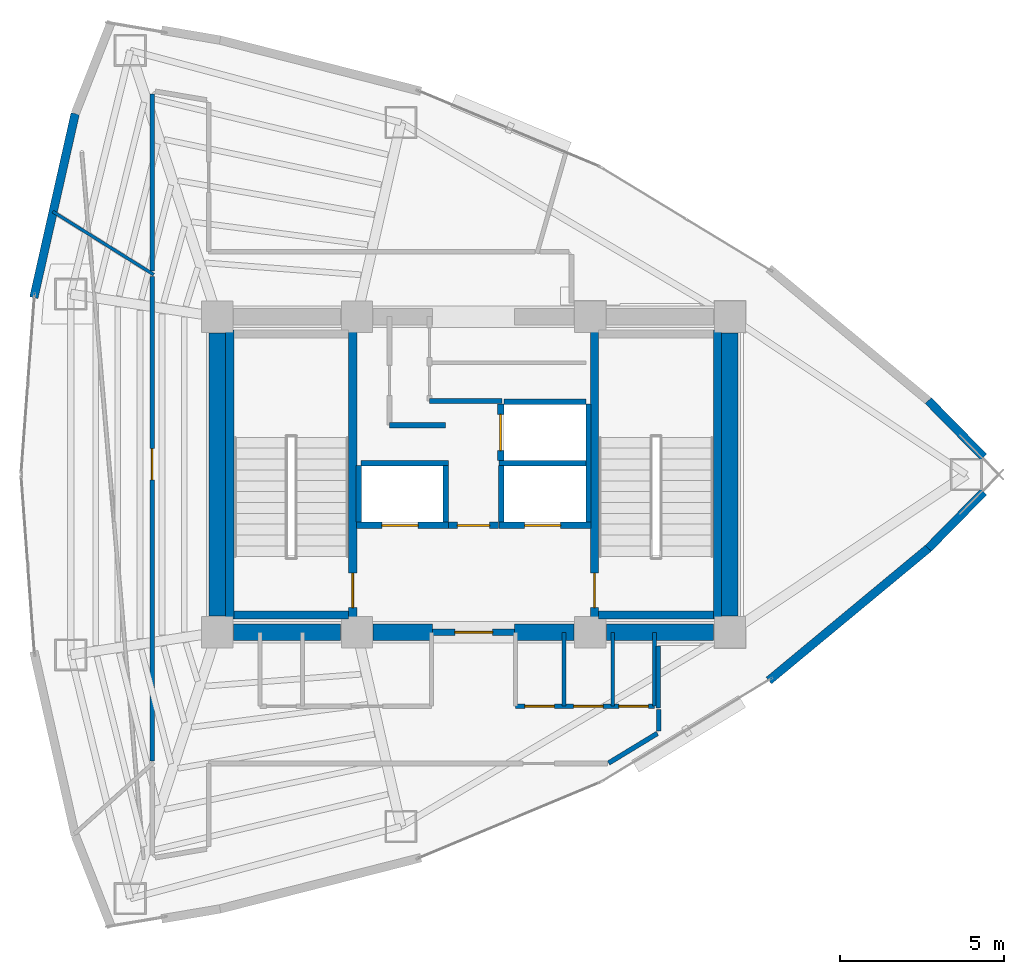
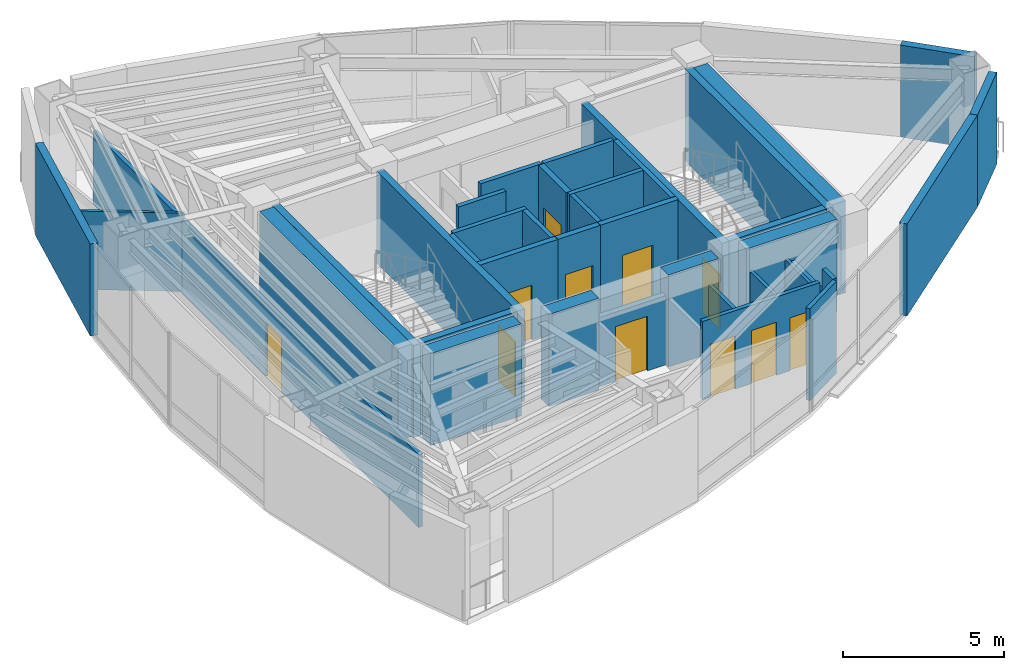
# One storey, part 12 of 16: 40 walls, 11 doors, 11 openings.
"""IFC4 building model written with IfcOpenShell, lengths in metres."""

from ifc_helpers import new_model, si_unit, direction, frame, frame_2d, origin, place, context, subcontext, project, spatial, rectangle, extrude, material, layer, layer_set, type_object, element, fill, save


model = new_model("IFC4")

# Units and contexts
model_context = context("Model", 3, precision=1e-05, world=origin(), true_north=direction((0.0, 1.0)))
body_context = subcontext(model_context, "Body", "Model", "MODEL_VIEW")
ifc_project = project(units=[si_unit("LENGTHUNIT", "METRE"), si_unit("AREAUNIT", "SQUARE_METRE"), si_unit("VOLUMEUNIT", "CUBIC_METRE"), si_unit("PLANEANGLEUNIT", "RADIAN"), si_unit("MASSUNIT", "GRAM", prefix="KILO")], contexts=[model_context])

# Site, building, storey
site_placement = place(None, origin())
site = spatial("IfcSite", under=ifc_project, at=site_placement, CompositionType="ELEMENT")
building_placement = place(site_placement, origin())
building = spatial("IfcBuilding", under=site, at=building_placement, Name="Menara Vayukalpa", CompositionType="ELEMENT")
storey_placement = place(building_placement, frame((0.0, 0.0, 219.5400390625)))
storey = spatial("IfcBuildingStorey", under=building, at=storey_placement, Name="L55", CompositionType="ELEMENT", Elevation=219.5400390625)

# Walls
ifc_material_1 = material(Name="Concrete C60/75", Category="concrete")
ifc_layer_1 = layer(ifc_material_1, 0.5)
ifc_layer_set_1 = layer_set([ifc_layer_1], Name="Concrete C60/75")
wall_type_1 = type_object("IfcWallType", Name="WAL-CW500", PredefinedType="SHEAR", material=ifc_layer_set_1)
wall_1_placement = place(storey_placement, frame((18.294921875, 17.199951171875, 0.0), z_axis=(0.0, 0.0, 1.0), x_axis=(1.0, 0.0, 0.0)))
element("IfcWall", 1, at=wall_1_placement, inside=storey, type_object=wall_type_1, Name="L55 Buttressed Core Shear Wall CWS1", PredefinedType="SHEAR", context=body_context, shape_type="SweptSolid", body=[
    extrude(rectangle(XDim=3.260009765625, YDim=0.5, at=frame_2d((1.6298828125, 0.0))), origin(), (0.0, 0.0, 1.0), 3.5),
])
wall_2_placement = place(storey_placement, frame((22.544921875, 17.199951171875, 0.0), z_axis=(0.0, 0.0, 1.0), x_axis=(1.0, 0.0, 0.0)))
element("IfcWall", 2, at=wall_2_placement, inside=storey, type_object=wall_type_1, Name="L55 Buttressed Core Shear Wall CWS2", PredefinedType="SHEAR", context=body_context, shape_type="SweptSolid", body=[
    extrude(rectangle(XDim=1.80517578125, YDim=0.5, at=frame_2d((0.902587890625, 0.0))), origin(), (0.0, 0.0, 1.0), 3.5),
])
wall_3_placement = place(storey_placement, frame((26.85009765625, 17.199951171875, 0.0), z_axis=(0.0, 0.0, 1.0), x_axis=(1.0, 0.0, 0.0)))
element("IfcWall", 3, at=wall_3_placement, inside=storey, type_object=wall_type_1, Name="L55 Buttressed Core Shear Wall CWS3", PredefinedType="SHEAR", context=body_context, shape_type="SweptSolid", body=[
    extrude(rectangle(XDim=1.804931640625, YDim=0.5, at=frame_2d((0.90234375, 0.0))), origin(), (0.0, 0.0, 1.0), 3.5),
])
wall_4_placement = place(storey_placement, frame((29.64501953125, 17.199951171875, 0.0), z_axis=(0.0, 0.0, 1.0), x_axis=(1.0, 0.0, 0.0)))
element("IfcWall", 4, at=wall_4_placement, inside=storey, type_object=wall_type_1, Name="L55 Buttressed Core Shear Wall CWS4", PredefinedType="SHEAR", context=body_context, shape_type="SweptSolid", body=[
    extrude(rectangle(XDim=3.260009765625, YDim=0.5, at=frame_2d((1.6298828125, 0.0))), origin(), (0.0, 0.0, 1.0), 3.5),
])
for number, where, z_axis, x_axis, name in (
    (5, (17.800048828125, 17.695068359375, 0.0), (0.0, 0.0, 1.0), (0.0, 1.0, 0.0), "L55 Buttressed Core Shear Wall CWW1"),
    (6, (33.39990234375, 17.695068359375, 0.0), (0.0, 0.0, 1.0), (0.0, 1.0, 0.0), "L55 Buttressed Core Shear Wall CWE1"),
):
    element("IfcWall", number, at=place(storey_placement, frame(where, z_axis=z_axis, x_axis=x_axis)), inside=storey, type_object=wall_type_1, Name=name, PredefinedType="SHEAR", context=body_context, shape_type="SweptSolid", body=[
        extrude(rectangle(XDim=8.60986328125, YDim=0.5, at=frame_2d((4.304931640625, 0.0))), origin(), (0.0, 0.0, 1.0), 3.5),
    ])
ifc_material_2 = material(Name="Insulated Precast Concrete C40/50", Category="concrete")
ifc_layer_2 = layer(ifc_material_2, 0.260009765625)
ifc_layer_set_2 = layer_set([ifc_layer_2], Name="Insulated Precast Concrete C40/50")
wall_type_2 = type_object("IfcWallType", Name="WAL-EXT260", PredefinedType="PARTITIONING", material=ifc_layer_set_2)
for number, where, z_axis, x_axis, name in (
    (7, (41.11669921875, 21.466552734375, 0.0), (0.0, 0.0, 1.0), (-0.700567481584, -0.7135861572, 0.0), "L55 Perimeter Terracotta Pier Wall 01"),
    (8, (39.43505859375, 24.246337890625, 0.0), (0.0, 0.0, 1.0), (0.700567481584, -0.7135861572, 0.0), "L55 Perimeter Terracotta Pier Wall 02"),
):
    element("IfcWall", number, at=place(storey_placement, frame(where, z_axis=z_axis, x_axis=x_axis)), inside=storey, type_object=wall_type_2, Name=name, PredefinedType="PARTITIONING", context=body_context, shape_type="SweptSolid", body=[
        extrude(rectangle(XDim=2.400390625, YDim=0.260009765625, at=frame_2d((1.2001953125, 0.0))), origin(), (0.0, 0.0, 1.0), 3.5),
    ])
wall_5_placement = place(storey_placement, frame((12.219970703125, 27.3818359375, 0.0), z_axis=(0.0, 0.0, 1.0), x_axis=(0.219475737697, 0.975617958303, 0.0)))
element("IfcWall", 9, at=wall_5_placement, inside=storey, type_object=wall_type_2, Name="L55 Perimeter Terracotta Pier Wall 09", PredefinedType="PARTITIONING", context=body_context, shape_type="SweptSolid", body=[
    extrude(rectangle(XDim=5.736572265625, YDim=0.260009765625, at=frame_2d((2.8681640625, 0.0))), origin(), (0.0, 0.0, 1.0), 3.5),
])
wall_6_placement = place(storey_placement, frame((39.44384765625, 19.76171875, 0.0), z_axis=(0.0, 0.0, 1.0), x_axis=(-0.769765373155, -0.638326930571, 0.0)))
element("IfcWall", 10, at=wall_6_placement, inside=storey, type_object=wall_type_2, Name="L55 Perimeter Terracotta Pier Wall 18", PredefinedType="PARTITIONING", context=body_context, shape_type="SweptSolid", body=[
    extrude(rectangle(XDim=6.3154296875, YDim=0.260009765625, at=frame_2d((3.15771484375, 0.0))), origin(), (0.0, 0.0, 1.0), 3.5),
])
ifc_material_3 = material(Name="Lightweight Concrete Blockwork C16/20", Category="masonry")
ifc_layer_3 = layer(ifc_material_3, 0.159912109375)
ifc_layer_set_3 = layer_set([ifc_layer_3], Name="Lightweight Concrete Blockwork C16/20")
wall_type_3 = type_object("IfcWallType", Name="WAL-FR150", PredefinedType="PARTITIONING", material=ifc_layer_set_3)
for number, where, z_axis, x_axis, name in (
    (11, (22.10498046875, 20.56005859375, 0.0), (0.0, 0.0, 1.0), (0.0, 1.0, 0.0), "L55 Interior Partition IW-L55-SHW-WW"),
    (12, (24.7548828125, 20.56005859375, 0.0), (0.0, 0.0, 1.0), (0.0, 1.0, 0.0), "L55 Interior Partition IW-L55-SHW-W1E"),
):
    element("IfcWall", number, at=place(storey_placement, frame(where, z_axis=z_axis, x_axis=x_axis)), inside=storey, type_object=wall_type_3, Name=name, PredefinedType="PARTITIONING", context=body_context, shape_type="SweptSolid", body=[
        extrude(rectangle(XDim=1.7099609375, YDim=0.159912109375, at=frame_2d((0.85498046875, 0.0))), origin(), (0.0, 0.0, 1.0), 3.5),
    ])
wall_7_placement = place(storey_placement, frame((22.179931640625, 22.344970703125, 0.0), z_axis=(0.0, 0.0, 1.0), x_axis=(1.0, 0.0, 0.0)))
element("IfcWall", 13, at=wall_7_placement, inside=storey, type_object=wall_type_3, Name="L55 Interior Partition IW-L55-SHM-W12", PredefinedType="PARTITIONING", context=body_context, shape_type="SweptSolid", body=[
    extrude(rectangle(XDim=2.650146484375, YDim=0.159912109375, at=frame_2d((1.3251953125, 0.0))), origin(), (0.0, 0.0, 1.0), 3.5),
])
wall_8_placement = place(storey_placement, frame((29.094970703125, 20.56005859375, 0.0), z_axis=(0.0, 0.0, 1.0), x_axis=(0.0, 1.0, 0.0)))
element("IfcWall", 14, at=wall_8_placement, inside=storey, type_object=wall_type_3, Name="L55 Interior Partition IW-L55-SHW-EE", PredefinedType="PARTITIONING", context=body_context, shape_type="SweptSolid", body=[
    extrude(rectangle(XDim=3.579833984375, YDim=0.159912109375, at=frame_2d((1.7900390625, 0.0))), origin(), (0.0, 0.0, 1.0), 3.5),
])
wall_9_placement = place(storey_placement, frame((26.445068359375, 20.56005859375, 0.0), z_axis=(0.0, 0.0, 1.0), x_axis=(0.0, 1.0, 0.0)))
element("IfcWall", 15, at=wall_9_placement, inside=storey, type_object=wall_type_3, Name="L55 Interior Partition IW-L55-SHW-E1W", PredefinedType="PARTITIONING", context=body_context, shape_type="SweptSolid", body=[
    extrude(rectangle(XDim=1.7099609375, YDim=0.159912109375, at=frame_2d((0.85498046875, 0.0))), origin(), (0.0, 0.0, 1.0), 3.5),
])
wall_10_placement = place(storey_placement, frame((26.3701171875, 22.344970703125, 0.0), z_axis=(0.0, 0.0, 1.0), x_axis=(1.0, 0.0, 0.0)))
element("IfcWall", 16, at=wall_10_placement, inside=storey, type_object=wall_type_3, Name="L55 Interior Partition IW-L55-SHM-E13", PredefinedType="PARTITIONING", context=body_context, shape_type="SweptSolid", body=[
    extrude(rectangle(XDim=2.64990234375, YDim=0.159912109375, at=frame_2d((1.324951171875, 0.0))), origin(), (0.0, 0.0, 1.0), 3.5),
])
wall_11_placement = place(storey_placement, frame((26.530029296875, 24.215087890625, 0.0), z_axis=(0.0, 0.0, 1.0), x_axis=(1.0, 0.0, 0.0)))
element("IfcWall", 17, at=wall_11_placement, inside=storey, type_object=wall_type_3, Name="L55 Interior Partition IW-L55-SHM-E32", PredefinedType="PARTITIONING", context=body_context, shape_type="SweptSolid", body=[
    extrude(rectangle(XDim=2.489990234375, YDim=0.159912109375, at=frame_2d((1.2451171875, 0.0))), origin(), (0.0, 0.0, 1.0), 3.5),
])
wall_12_placement = place(storey_placement, frame((23.0400390625, 23.5, 0.0), z_axis=(0.0, 0.0, 1.0), x_axis=(1.0, 0.0, 0.0)))
element("IfcWall", 18, at=wall_12_placement, inside=storey, type_object=wall_type_3, Name="L55 Interior Partition IW-L55-LV7WA", PredefinedType="PARTITIONING", context=body_context, shape_type="SweptSolid", body=[
    extrude(rectangle(XDim=1.699951171875, YDim=0.159912109375, at=frame_2d((0.85009765625, 0.0))), origin(), (0.0, 0.0, 1.0), 3.5),
])
wall_13_placement = place(storey_placement, frame((24.260009765625, 24.239990234375, 0.0), z_axis=(0.0, 0.0, 1.0), x_axis=(1.0, 0.0, 0.0)))
element("IfcWall", 19, at=wall_13_placement, inside=storey, type_object=wall_type_3, Name="L55 Interior Partition IW-L55-LV7EA", PredefinedType="PARTITIONING", context=body_context, shape_type="SweptSolid", body=[
    extrude(rectangle(XDim=2.199951171875, YDim=0.159912109375, at=frame_2d((1.10009765625, 0.0))), origin(), (0.0, 0.0, 1.0), 3.5),
])

# Wall, opening, door
ifc_material_4 = material(Name="Lightweight Concrete Blockwork C16/20", Category="masonry")
ifc_layer_4 = layer(ifc_material_4, 0.199951171875)
ifc_layer_set_4 = layer_set([ifc_layer_4], Name="Lightweight Concrete Blockwork C16/20")
wall_type_4 = type_object("IfcWallType", Name="WAL-FR200", PredefinedType="PARTITIONING", material=ifc_layer_set_4)
wall_14_placement = place(storey_placement, frame((24.35009765625, 17.199951171875, 0.0), z_axis=(0.0, 0.0, 1.0), x_axis=(1.0, 0.0, 0.0)))
wall_14 = element("IfcWall", 20, at=wall_14_placement, inside=storey, type_object=wall_type_4, Name="L55 Interior Partition IW-L55-FFLS", PredefinedType="PARTITIONING", context=body_context, shape_type="SweptSolid", body=[
    extrude(rectangle(XDim=2.5, YDim=0.199951171875, at=frame_2d((1.25, 0.0))), origin(), (0.0, 0.0, 1.0), 2.6298828125),
])
opening_1_placement = place(wall_14_placement, frame((0.679931640625, 0.0, 0.0)))
opening_1 = element("IfcOpeningElement", 21, at=opening_1_placement, cuts=wall_14, Name="Opening ID2", PredefinedType="OPENING", context=body_context, shape_type="SweptSolid", body=[
    extrude(rectangle(XDim=1.14990234375, YDim=2.080078125, at=frame_2d((0.574951171875, 1.0400390625))), frame((0.0, 0.10986328125, 0.0), z_axis=(0.0, -1.0, 0.0), x_axis=(1.0, 0.0, 0.0)), (0.0, 0.0, 1.0), 0.219970703125),
])
ifc_material_5 = material(Name="Fire-Rated Powder-Coated Steel Door", Category="steel")
door_type_1 = type_object("IfcDoorType", Name="DR-FD60W", OperationType="NOTDEFINED", PredefinedType="DOOR", material=ifc_material_5)
door_1_placement = place(opening_1_placement, origin())
door_1 = element("IfcDoor", 22, at=door_1_placement, inside=storey, type_object=door_type_1, Name="L55 Interior Door DR-L55-FFLS", OperationType="SINGLE_SWING_RIGHT", OverallHeight=2.080078125, OverallWidth=1.14990234375, PredefinedType="DOOR", context=body_context, shape_type="SweptSolid", body=[
    extrude(rectangle(XDim=1.14990234375, YDim=2.080078125, at=frame_2d((0.574951171875, 1.0400390625))), frame((0.0, 0.02490234375, 0.0), z_axis=(0.0, -1.0, 0.0), x_axis=(1.0, 0.0, 0.0)), (0.0, 0.0, 1.0), 0.050048828125),
])
fill(opening_1, door_1)

wall_15_placement = place(storey_placement, frame((24.840087890625, 20.449951171875, 0.0), z_axis=(0.0, 0.0, 1.0), x_axis=(1.0, 0.0, 0.0)))
wall_15 = element("IfcWall", 23, at=wall_15_placement, inside=storey, type_object=wall_type_4, Name="L55 Interior Partition IW-L55-FFLN", PredefinedType="PARTITIONING", context=body_context, shape_type="SweptSolid", body=[
    extrude(rectangle(XDim=1.52001953125, YDim=0.199951171875, at=frame_2d((0.760009765625, 0.0))), origin(), (0.0, 0.0, 1.0), 3.5),
])
opening_2_placement = place(wall_15_placement, frame((0.27001953125, 0.0, 0.0)))
opening_2 = element("IfcOpeningElement", 24, at=opening_2_placement, cuts=wall_15, Name="Opening ID3", PredefinedType="OPENING", context=body_context, shape_type="SweptSolid", body=[
    extrude(rectangle(XDim=0.97998046875, YDim=2.06005859375, at=frame_2d((0.489990234375, 1.030029296875))), frame((0.0, 0.10986328125, 0.0), z_axis=(0.0, -1.0, 0.0), x_axis=(1.0, 0.0, 0.0)), (0.0, 0.0, 1.0), 0.219970703125),
])
ifc_material_6 = material(Name="Fire-Rated Powder-Coated Steel Door", Category="steel")
door_type_2 = type_object("IfcDoorType", Name="DR-FD60", OperationType="NOTDEFINED", PredefinedType="DOOR", material=ifc_material_6)
door_2_placement = place(opening_2_placement, origin())
door_2 = element("IfcDoor", 25, at=door_2_placement, inside=storey, type_object=door_type_2, Name="L55 Interior Door DR-L55-FFLN", OperationType="SINGLE_SWING_LEFT", OverallHeight=2.06005859375, OverallWidth=0.97998046875, PredefinedType="DOOR", context=body_context, shape_type="SweptSolid", body=[
    extrude(rectangle(XDim=0.97998046875, YDim=2.06005859375, at=frame_2d((0.489990234375, 1.030029296875))), frame((0.0, 0.02490234375, 0.0), z_axis=(0.0, -1.0, 0.0), x_axis=(1.0, 0.0, 0.0)), (0.0, 0.0, 1.0), 0.050048828125),
])
fill(opening_2, door_2)

wall_16_placement = place(storey_placement, frame((22.030029296875, 20.449951171875, 0.0), z_axis=(0.0, 0.0, 1.0), x_axis=(1.0, 0.0, 0.0)))
wall_16 = element("IfcWall", 26, at=wall_16_placement, inside=storey, type_object=wall_type_4, Name="L55 Interior Partition IW-L55-SH-W1", PredefinedType="PARTITIONING", context=body_context, shape_type="SweptSolid", body=[
    extrude(rectangle(XDim=2.800048828125, YDim=0.199951171875, at=frame_2d((1.39990234375, 0.0))), origin(), (0.0, 0.0, 1.0), 3.5),
])
opening_3_placement = place(wall_16_placement, frame((0.780029296875, 0.0, 0.0)))
opening_3 = element("IfcOpeningElement", 27, at=opening_3_placement, cuts=wall_16, Name="Opening LD1", PredefinedType="OPENING", context=body_context, shape_type="SweptSolid", body=[
    extrude(rectangle(XDim=1.10009765625, YDim=2.080078125, at=frame_2d((0.550048828125, 1.0400390625))), frame((0.0, 0.10986328125, 0.0), z_axis=(0.0, -1.0, 0.0), x_axis=(1.0, 0.0, 0.0)), (0.0, 0.0, 1.0), 0.219970703125),
])
ifc_material_7 = material(Name="Brushed Stainless Steel 316 Lift Door", Category="steel")
door_type_3 = type_object("IfcDoorType", Name="DR-LD110", OperationType="NOTDEFINED", PredefinedType="DOOR", material=ifc_material_7)
door_3_placement = place(opening_3_placement, origin())
door_3 = element("IfcDoor", 28, at=door_3_placement, inside=storey, type_object=door_type_3, Name="L55 Interior Door DR-L55-LD-W1", OperationType="DOUBLE_DOOR_SLIDING", OverallHeight=2.080078125, OverallWidth=1.10009765625, PredefinedType="DOOR", context=body_context, shape_type="SweptSolid", body=[
    extrude(rectangle(XDim=1.10009765625, YDim=2.080078125, at=frame_2d((0.550048828125, 1.0400390625))), frame((0.0, 0.02490234375, 0.0), z_axis=(0.0, -1.0, 0.0), x_axis=(1.0, 0.0, 0.0)), (0.0, 0.0, 1.0), 0.050048828125),
])
fill(opening_3, door_3)

wall_17_placement = place(storey_placement, frame((26.3701171875, 20.449951171875, 0.0), z_axis=(0.0, 0.0, 1.0), x_axis=(1.0, 0.0, 0.0)))
wall_17 = element("IfcWall", 29, at=wall_17_placement, inside=storey, type_object=wall_type_4, Name="L55 Interior Partition IW-L55-SH-E1", PredefinedType="PARTITIONING", context=body_context, shape_type="SweptSolid", body=[
    extrude(rectangle(XDim=2.7998046875, YDim=0.199951171875, at=frame_2d((1.39990234375, 0.0))), origin(), (0.0, 0.0, 1.0), 3.5),
])
opening_4_placement = place(wall_17_placement, frame((0.780029296875, 0.0, 0.0)))
opening_4 = element("IfcOpeningElement", 30, at=opening_4_placement, cuts=wall_17, Name="Opening LD1", PredefinedType="OPENING", context=body_context, shape_type="SweptSolid", body=[
    extrude(rectangle(XDim=1.10009765625, YDim=2.080078125, at=frame_2d((0.550048828125, 1.0400390625))), frame((0.0, 0.10986328125, 0.0), z_axis=(0.0, -1.0, 0.0), x_axis=(1.0, 0.0, 0.0)), (0.0, 0.0, 1.0), 0.219970703125),
])
door_4_placement = place(opening_4_placement, origin())
door_4 = element("IfcDoor", 31, at=door_4_placement, inside=storey, type_object=door_type_3, Name="L55 Interior Door DR-L55-LD-E1", OperationType="DOUBLE_DOOR_SLIDING", OverallHeight=2.080078125, OverallWidth=1.10009765625, PredefinedType="DOOR", context=body_context, shape_type="SweptSolid", body=[
    extrude(rectangle(XDim=1.10009765625, YDim=2.080078125, at=frame_2d((0.550048828125, 1.0400390625))), frame((0.0, 0.02490234375, 0.0), z_axis=(0.0, -1.0, 0.0), x_axis=(1.0, 0.0, 0.0)), (0.0, 0.0, 1.0), 0.050048828125),
])
fill(opening_4, door_4)

wall_18_placement = place(storey_placement, frame((26.419921875, 22.419921875, 0.0), z_axis=(0.0, 0.0, 1.0), x_axis=(0.0, 1.0, 0.0)))
wall_18 = element("IfcWall", 32, at=wall_18_placement, inside=storey, type_object=wall_type_4, Name="L55 Interior Partition IW-L55-SH-E3", PredefinedType="PARTITIONING", context=body_context, shape_type="SweptSolid", body=[
    extrude(rectangle(XDim=1.719970703125, YDim=0.199951171875, at=frame_2d((0.85986328125, 0.0))), origin(), (0.0, 0.0, 1.0), 3.5),
])
opening_5_placement = place(wall_18_placement, frame((0.31005859375, 0.0, 0.0)))
opening_5 = element("IfcOpeningElement", 33, at=opening_5_placement, cuts=wall_18, Name="Opening LD1", PredefinedType="OPENING", context=body_context, shape_type="SweptSolid", body=[
    extrude(rectangle(XDim=1.10009765625, YDim=2.080078125, at=frame_2d((0.550048828125, 1.0400390625))), frame((0.0, 0.10986328125, 0.0), z_axis=(0.0, -1.0, 0.0), x_axis=(1.0, 0.0, 0.0)), (0.0, 0.0, 1.0), 0.219970703125),
])
door_5_placement = place(opening_5_placement, origin())
door_5 = element("IfcDoor", 34, at=door_5_placement, inside=storey, type_object=door_type_3, Name="L55 Interior Door DR-L55-LD-E3", OperationType="DOUBLE_DOOR_SLIDING", OverallHeight=2.080078125, OverallWidth=1.10009765625, PredefinedType="DOOR", context=body_context, shape_type="SweptSolid", body=[
    extrude(rectangle(XDim=1.10009765625, YDim=2.080078125, at=frame_2d((0.550048828125, 1.0400390625))), frame((0.0, 0.02490234375, 0.0), z_axis=(0.0, -1.0, 0.0), x_axis=(1.0, 0.0, 0.0)), (0.0, 0.0, 1.0), 0.050048828125),
])
fill(opening_5, door_5)

# Walls
ifc_material_8 = material(Name="Glazed Demountable Office Partition", Category="glass")
ifc_layer_5 = layer(ifc_material_8, 0.094970703125)
ifc_layer_set_5 = layer_set([ifc_layer_5], Name="Glazed Demountable Office Partition")
wall_type_5 = type_object("IfcWallType", Name="WAL-PT100", PredefinedType="PARTITIONING", material=ifc_layer_set_5)
wall_19_placement = place(storey_placement, frame((15.8701171875, 28.080078125, 0.0), z_axis=(0.0, 0.0, 1.0), x_axis=(-0.848062676376, 0.529895930291, 0.0)))
element("IfcWall", 35, at=wall_19_placement, inside=storey, type_object=wall_type_5, Name="L55 Interior Partition IW-L55-RDIV02", PredefinedType="PARTITIONING", context=body_context, shape_type="SweptSolid", body=[
    extrude(rectangle(XDim=3.621826171875, YDim=0.094970703125, at=frame_2d((1.81103515625, 0.0))), origin(), (0.0, 0.0, 1.0), 2.97998046875),
])
ifc_material_9 = material(Name="Acoustic Mineral Stud Partition", Category="masonry")
ifc_layer_6 = layer(ifc_material_9, 0.110107421875)
ifc_layer_set_6 = layer_set([ifc_layer_6], Name="Acoustic Mineral Stud Partition")
wall_type_6 = type_object("IfcWallType", Name="WAL-PT110", PredefinedType="PARTITIONING", material=ifc_layer_set_6)
wall_20_placement = place(storey_placement, frame((29.830078125, 14.949951171875, 0.0), z_axis=(0.0, 0.0, 1.0), x_axis=(0.0, 1.0, 0.0)))
element("IfcWall", 36, at=wall_20_placement, inside=storey, type_object=wall_type_6, Name="L55 Interior Partition IW-L55-SVCD-06", PredefinedType="PARTITIONING", context=body_context, shape_type="SweptSolid", body=[
    extrude(rectangle(XDim=2.25, YDim=0.110107421875, at=frame_2d((1.125, 0.0))), origin(), (0.0, 0.0, 1.0), 2.6298828125),
])
ifc_material_10 = material(Name="Gypsum Drywall Steel Stud Assembly", Category="steel")
ifc_layer_7 = layer(ifc_material_10, 0.125)
ifc_layer_set_7 = layer_set([ifc_layer_7], Name="Gypsum Drywall Steel Stud Assembly")
wall_type_7 = type_object("IfcWallType", Name="WAL-PT125", PredefinedType="PARTITIONING", material=ifc_layer_set_7)
for number, where, z_axis, x_axis, name in (
    (37, (28.35009765625, 14.949951171875, 0.0), (0.0, 0.0, 1.0), (0.0, 1.0, 0.0), "L55 Interior Partition IW-L55-SVCD-05"),
    (38, (31.10009765625, 14.949951171875, 0.0), (0.0, 0.0, 1.0), (0.0, 1.0, 0.0), "L55 Interior Partition IW-L55-SVCD-07"),
):
    element("IfcWall", number, at=place(storey_placement, frame(where, z_axis=z_axis, x_axis=x_axis)), inside=storey, type_object=wall_type_7, Name=name, PredefinedType="PARTITIONING", context=body_context, shape_type="SweptSolid", body=[
        extrude(rectangle(XDim=2.25, YDim=0.125, at=frame_2d((1.125, 0.0))), origin(), (0.0, 0.0, 1.0), 2.6298828125),
    ])

# Wall, openings, doors
ifc_material_11 = material(Name="Gypsum Drywall Acoustic Stud Assembly", Category="masonry")
ifc_layer_8 = layer(ifc_material_11, 0.14501953125)
ifc_layer_set_8 = layer_set([ifc_layer_8], Name="Gypsum Drywall Acoustic Stud Assembly")
wall_type_8 = type_object("IfcWallType", Name="WAL-PT150", PredefinedType="PARTITIONING", material=ifc_layer_set_8)
wall_21_placement = place(storey_placement, frame((26.8798828125, 14.949951171875, 0.0), z_axis=(0.0, 0.0, 1.0), x_axis=(1.0, 0.0, 0.0)))
wall_21 = element("IfcWall", 39, at=wall_21_placement, inside=storey, type_object=wall_type_8, Name="L55 Interior Partition IW-L55-SVCS-E", PredefinedType="PARTITIONING", context=body_context, shape_type="SweptSolid", body=[
    extrude(rectangle(XDim=4.22021484375, YDim=0.14501953125, at=frame_2d((2.110107421875, 0.0))), origin(), (0.0, 0.0, 1.0), 2.97998046875),
])
opening_6_placement = place(wall_21_placement, frame((0.280029296875, 0.0, 0.0)))
opening_6 = element("IfcOpeningElement", 40, at=opening_6_placement, cuts=wall_21, Name="Opening ID7", PredefinedType="OPENING", context=body_context, shape_type="SweptSolid", body=[
    extrude(rectangle(XDim=0.89990234375, YDim=2.02001953125, at=frame_2d((0.449951171875, 1.010009765625))), frame((0.0, 0.08251953125, 0.0), z_axis=(0.0, -1.0, 0.0), x_axis=(1.0, 0.0, 0.0)), (0.0, 0.0, 1.0), 0.1650390625),
])
opening_7_placement = place(wall_21_placement, frame((1.760009765625, 0.0, 0.0)))
opening_7 = element("IfcOpeningElement", 41, at=opening_7_placement, cuts=wall_21, Name="Opening ID7", PredefinedType="OPENING", context=body_context, shape_type="SweptSolid", body=[
    extrude(rectangle(XDim=0.89990234375, YDim=2.02001953125, at=frame_2d((0.449951171875, 1.010009765625))), frame((0.0, 0.08251953125, 0.0), z_axis=(0.0, -1.0, 0.0), x_axis=(1.0, 0.0, 0.0)), (0.0, 0.0, 1.0), 0.1650390625),
])
opening_8_placement = place(wall_21_placement, frame((3.139892578125, 0.0, 0.0)))
opening_8 = element("IfcOpeningElement", 42, at=opening_8_placement, cuts=wall_21, Name="Opening ID7", PredefinedType="OPENING", context=body_context, shape_type="SweptSolid", body=[
    extrude(rectangle(XDim=0.89990234375, YDim=2.02001953125, at=frame_2d((0.449951171875, 1.010009765625))), frame((0.0, 0.08251953125, 0.0), z_axis=(0.0, -1.0, 0.0), x_axis=(1.0, 0.0, 0.0)), (0.0, 0.0, 1.0), 0.1650390625),
])
ifc_material_12 = material(Name="Powder-Coated Steel Riser Access Door", Category="steel")
door_type_4 = type_object("IfcDoorType", Name="DR-RISER", OperationType="NOTDEFINED", PredefinedType="DOOR", material=ifc_material_12)
door_6_placement = place(opening_6_placement, origin())
door_6 = element("IfcDoor", 43, at=door_6_placement, inside=storey, type_object=door_type_4, Name="L55 Interior Door DR-L55-KSV1", OperationType="SINGLE_SWING_LEFT", OverallHeight=2.02001953125, OverallWidth=0.89990234375, PredefinedType="DOOR", context=body_context, shape_type="SweptSolid", body=[
    extrude(rectangle(XDim=0.89990234375, YDim=2.02001953125, at=frame_2d((0.449951171875, 1.010009765625))), frame((0.0, 0.02490234375, 0.0), z_axis=(0.0, -1.0, 0.0), x_axis=(1.0, 0.0, 0.0)), (0.0, 0.0, 1.0), 0.050048828125),
])
fill(opening_6, door_6)
door_7_placement = place(opening_7_placement, origin())
door_7 = element("IfcDoor", 44, at=door_7_placement, inside=storey, type_object=door_type_4, Name="L55 Interior Door DR-L55-KSV2", OperationType="SINGLE_SWING_RIGHT", OverallHeight=2.02001953125, OverallWidth=0.89990234375, PredefinedType="DOOR", context=body_context, shape_type="SweptSolid", body=[
    extrude(rectangle(XDim=0.89990234375, YDim=2.02001953125, at=frame_2d((0.449951171875, 1.010009765625))), frame((0.0, 0.02490234375, 0.0), z_axis=(0.0, -1.0, 0.0), x_axis=(1.0, 0.0, 0.0)), (0.0, 0.0, 1.0), 0.050048828125),
])
fill(opening_7, door_7)
door_8_placement = place(opening_8_placement, origin())
door_8 = element("IfcDoor", 45, at=door_8_placement, inside=storey, type_object=door_type_4, Name="L55 Interior Door DR-L55-SMD", OperationType="SINGLE_SWING_LEFT", OverallHeight=2.02001953125, OverallWidth=0.89990234375, PredefinedType="DOOR", context=body_context, shape_type="SweptSolid", body=[
    extrude(rectangle(XDim=0.89990234375, YDim=2.02001953125, at=frame_2d((0.449951171875, 1.010009765625))), frame((0.0, 0.02490234375, 0.0), z_axis=(0.0, -1.0, 0.0), x_axis=(1.0, 0.0, 0.0)), (0.0, 0.0, 1.0), 0.050048828125),
])
fill(opening_8, door_8)

# Walls
wall_22_placement = place(storey_placement, frame((29.708984375, 13.2216796875, 0.0), z_axis=(0.0, 0.0, 1.0), x_axis=(0.854635840942, 0.519227868451, 0.0)))
element("IfcWall", 46, at=wall_22_placement, inside=storey, type_object=wall_type_8, Name="L55 Interior Partition IW-L55-CRM03-5", PredefinedType="PARTITIONING", context=body_context, shape_type="SweptSolid", body=[
    extrude(rectangle(XDim=1.734619140625, YDim=0.14501953125, at=frame_2d((0.8671875, 0.0))), origin(), (0.0, 0.0, 1.0), 3.5),
])
wall_23_placement = place(storey_placement, frame((31.22998046875, 14.190673828125, 0.0), z_axis=(0.0, 0.0, 1.0), x_axis=(0.0, 1.0, 0.0)))
element("IfcWall", 47, at=wall_23_placement, inside=storey, type_object=wall_type_8, Name="L55 Interior Partition IW-L55-CRM03-6", PredefinedType="PARTITIONING", context=body_context, shape_type="SweptSolid", body=[
    extrude(rectangle(XDim=0.659423828125, YDim=0.14501953125, at=frame_2d((0.32958984375, 0.0))), origin(), (0.0, 0.0, 1.0), 3.5),
])
wall_24_placement = place(storey_placement, frame((31.219970703125, 14.888671875, 0.0), z_axis=(0.0, 0.0, 1.0), x_axis=(0.0, 1.0, 0.0)))
element("IfcWall", 48, at=wall_24_placement, inside=storey, type_object=wall_type_8, Name="L55 Interior Partition IW-L55-CRM03-7", PredefinedType="PARTITIONING", context=body_context, shape_type="SweptSolid", body=[
    extrude(rectangle(XDim=1.891357421875, YDim=0.14501953125, at=frame_2d((0.94580078125, 0.0))), origin(), (0.0, 0.0, 1.0), 2.6298828125),
])
wall_25_placement = place(storey_placement, frame((15.820068359375, 33.5791015625, 0.0), z_axis=(0.0, 0.0, 1.0), x_axis=(0.0, -1.0, 0.0)))
element("IfcWall", 49, at=wall_25_placement, inside=storey, type_object=wall_type_8, Name="L55 Interior Partition IW-L55-CRM04-4", PredefinedType="PARTITIONING", context=body_context, shape_type="SweptSolid", body=[
    extrude(rectangle(XDim=5.38525390625, YDim=0.14501953125, at=frame_2d((2.692626953125, 0.0))), origin(), (0.0, 0.0, 1.0), 2.780029296875),
])

# Wall, opening, door
wall_26_placement = place(storey_placement, frame((15.820068359375, 28.02880859375, 0.0), z_axis=(0.0, 0.0, 1.0), x_axis=(0.0, -1.0, 0.0)))
wall_26 = element("IfcWall", 50, at=wall_26_placement, inside=storey, type_object=wall_type_8, Name="L55 Interior Partition IW-L55-CRM05-1", PredefinedType="PARTITIONING", context=body_context, shape_type="SweptSolid", body=[
    extrude(rectangle(XDim=14.74072265625, YDim=0.14501953125, at=frame_2d((7.370361328125, 0.0))), origin(), (0.0, 0.0, 1.0), 2.780029296875),
])
opening_9_placement = place(wall_26_placement, frame((5.241455078125, 0.0, 0.0)))
opening_9 = element("IfcOpeningElement", 51, at=opening_9_placement, cuts=wall_26, Name="Opening ID5", PredefinedType="OPENING", context=body_context, shape_type="SweptSolid", body=[
    extrude(rectangle(XDim=0.949951171875, YDim=2.06005859375, at=frame_2d((0.47509765625, 1.030029296875))), frame((0.0, 0.08251953125, 0.0), z_axis=(0.0, -1.0, 0.0), x_axis=(1.0, 0.0, 0.0)), (0.0, 0.0, 1.0), 0.1650390625),
])
ifc_material_13 = material(Name="Acoustic Hardwood Veneer Timber Door", Category="wood")
door_type_5 = type_object("IfcDoorType", Name="DR-INT95", OperationType="NOTDEFINED", PredefinedType="DOOR", material=ifc_material_13)
door_9_placement = place(opening_9_placement, origin())
door_9 = element("IfcDoor", 52, at=door_9_placement, inside=storey, type_object=door_type_5, Name="L55 Interior Door DR-L55-RM05", OperationType="SINGLE_SWING_RIGHT", OverallHeight=2.06005859375, OverallWidth=0.949951171875, PredefinedType="DOOR", context=body_context, shape_type="SweptSolid", body=[
    extrude(rectangle(XDim=0.949951171875, YDim=2.06005859375, at=frame_2d((0.47509765625, 1.030029296875))), frame((0.0, 0.02490234375, 0.0), z_axis=(0.0, -1.0, 0.0), x_axis=(1.0, 0.0, 0.0)), (0.0, 0.0, 1.0), 0.050048828125),
])
fill(opening_9, door_9)

# Wall
ifc_material_14 = material(Name="Concrete C50/60", Category="concrete")
ifc_layer_9 = layer(ifc_material_14, 0.25)
ifc_layer_set_9 = layer_set([ifc_layer_9], Name="Concrete C50/60")
wall_type_9 = type_object("IfcWallType", Name="WAL-SW250", PredefinedType="SHEAR", material=ifc_layer_set_9)
wall_27_placement = place(storey_placement, frame((18.178955078125, 17.60009765625, 0.0), z_axis=(0.0, 0.0, 1.0), x_axis=(0.0, 1.0, 0.0)))
element("IfcWall", 53, at=wall_27_placement, inside=storey, type_object=wall_type_9, Name="L55 ST1 Structural Stair Shaft Wall W", PredefinedType="SHEAR", context=body_context, shape_type="SweptSolid", body=[
    extrude(rectangle(XDim=8.7998046875, YDim=0.25, at=frame_2d((4.39990234375, 0.0))), origin(), (0.0, 0.0, 1.0), 3.5),
])

# Wall, opening, door
wall_28_placement = place(storey_placement, frame((21.925048828125, 17.60009765625, 0.0), z_axis=(0.0, 0.0, 1.0), x_axis=(0.0, 1.0, 0.0)))
wall_28 = element("IfcWall", 54, at=wall_28_placement, inside=storey, type_object=wall_type_9, Name="L55 ST1 Structural Stair Shaft Wall E", PredefinedType="SHEAR", context=body_context, shape_type="SweptSolid", body=[
    extrude(rectangle(XDim=8.7998046875, YDim=0.25, at=frame_2d((4.39990234375, 0.0))), origin(), (0.0, 0.0, 1.0), 3.5),
])
opening_10_placement = place(wall_28_placement, frame((0.35009765625, 0.0, 0.0)))
opening_10 = element("IfcOpeningElement", 55, at=opening_10_placement, cuts=wall_28, Name="Opening ID1", PredefinedType="OPENING", context=body_context, shape_type="SweptSolid", body=[
    extrude(rectangle(XDim=1.050048828125, YDim=2.080078125, at=frame_2d((0.52490234375, 1.0400390625))), frame((0.0, 0.135009765625, 0.0), z_axis=(0.0, -1.0, 0.0), x_axis=(1.0, 0.0, 0.0)), (0.0, 0.0, 1.0), 0.27001953125),
])
ifc_material_15 = material(Name="Fire-Rated Powder-Coated Steel Door", Category="steel")
door_type_6 = type_object("IfcDoorType", Name="DR-FD120", OperationType="NOTDEFINED", PredefinedType="DOOR", material=ifc_material_15)
door_10_placement = place(opening_10_placement, origin())
door_10 = element("IfcDoor", 56, at=door_10_placement, inside=storey, type_object=door_type_6, Name="L55 Stair Exit Door DR-L55-ST1", OperationType="SINGLE_SWING_LEFT", OverallHeight=2.080078125, OverallWidth=1.050048828125, PredefinedType="DOOR", context=body_context, shape_type="SweptSolid", body=[
    extrude(rectangle(XDim=1.050048828125, YDim=2.080078125, at=frame_2d((0.52490234375, 1.0400390625))), frame((0.0, 0.02490234375, 0.0), z_axis=(0.0, -1.0, 0.0), x_axis=(1.0, 0.0, 0.0)), (0.0, 0.0, 1.0), 0.050048828125),
])
fill(opening_10, door_10)

# Wall
wall_29_placement = place(storey_placement, frame((18.303955078125, 17.72509765625, 0.0), z_axis=(0.0, 0.0, 1.0), x_axis=(1.0, 0.0, 0.0)))
element("IfcWall", 57, at=wall_29_placement, inside=storey, type_object=wall_type_9, Name="L55 ST1 Structural Stair Shaft Wall S", PredefinedType="SHEAR", context=body_context, shape_type="SweptSolid", body=[
    extrude(rectangle(XDim=3.49609375, YDim=0.25, at=frame_2d((1.748046875, 0.0))), origin(), (0.0, 0.0, 1.0), 3.5),
])

# Wall, opening, door
wall_30_placement = place(storey_placement, frame((29.27490234375, 17.60009765625, 0.0), z_axis=(0.0, 0.0, 1.0), x_axis=(0.0, 1.0, 0.0)))
wall_30 = element("IfcWall", 58, at=wall_30_placement, inside=storey, type_object=wall_type_9, Name="L55 ST2 Structural Stair Shaft Wall W", PredefinedType="SHEAR", context=body_context, shape_type="SweptSolid", body=[
    extrude(rectangle(XDim=8.7998046875, YDim=0.25, at=frame_2d((4.39990234375, 0.0))), origin(), (0.0, 0.0, 1.0), 3.5),
])
opening_11_placement = place(wall_30_placement, frame((0.35009765625, 0.0, 0.0)))
opening_11 = element("IfcOpeningElement", 59, at=opening_11_placement, cuts=wall_30, Name="Opening ID1", PredefinedType="OPENING", context=body_context, shape_type="SweptSolid", body=[
    extrude(rectangle(XDim=1.050048828125, YDim=2.080078125, at=frame_2d((0.52490234375, 1.0400390625))), frame((0.0, 0.135009765625, 0.0), z_axis=(0.0, -1.0, 0.0), x_axis=(1.0, 0.0, 0.0)), (0.0, 0.0, 1.0), 0.27001953125),
])
door_11_placement = place(opening_11_placement, origin())
door_11 = element("IfcDoor", 60, at=door_11_placement, inside=storey, type_object=door_type_6, Name="L55 Stair Exit Door DR-L55-ST2", OperationType="SINGLE_SWING_RIGHT", OverallHeight=2.080078125, OverallWidth=1.050048828125, PredefinedType="DOOR", context=body_context, shape_type="SweptSolid", body=[
    extrude(rectangle(XDim=1.050048828125, YDim=2.080078125, at=frame_2d((0.52490234375, 1.0400390625))), frame((0.0, 0.02490234375, 0.0), z_axis=(0.0, -1.0, 0.0), x_axis=(1.0, 0.0, 0.0)), (0.0, 0.0, 1.0), 0.050048828125),
])
fill(opening_11, door_11)

# Walls
wall_31_placement = place(storey_placement, frame((33.02099609375, 17.60009765625, 0.0), z_axis=(0.0, 0.0, 1.0), x_axis=(0.0, 1.0, 0.0)))
element("IfcWall", 61, at=wall_31_placement, inside=storey, type_object=wall_type_9, Name="L55 ST2 Structural Stair Shaft Wall E", PredefinedType="SHEAR", context=body_context, shape_type="SweptSolid", body=[
    extrude(rectangle(XDim=8.7998046875, YDim=0.25, at=frame_2d((4.39990234375, 0.0))), origin(), (0.0, 0.0, 1.0), 3.5),
])
wall_32_placement = place(storey_placement, frame((29.39990234375, 17.72509765625, 0.0), z_axis=(0.0, 0.0, 1.0), x_axis=(1.0, 0.0, 0.0)))
element("IfcWall", 62, at=wall_32_placement, inside=storey, type_object=wall_type_9, Name="L55 ST2 Structural Stair Shaft Wall S", PredefinedType="SHEAR", context=body_context, shape_type="SweptSolid", body=[
    extrude(rectangle(XDim=3.49609375, YDim=0.25, at=frame_2d((1.748046875, 0.0))), origin(), (0.0, 0.0, 1.0), 3.5),
])

save(model, "model.ifc")
